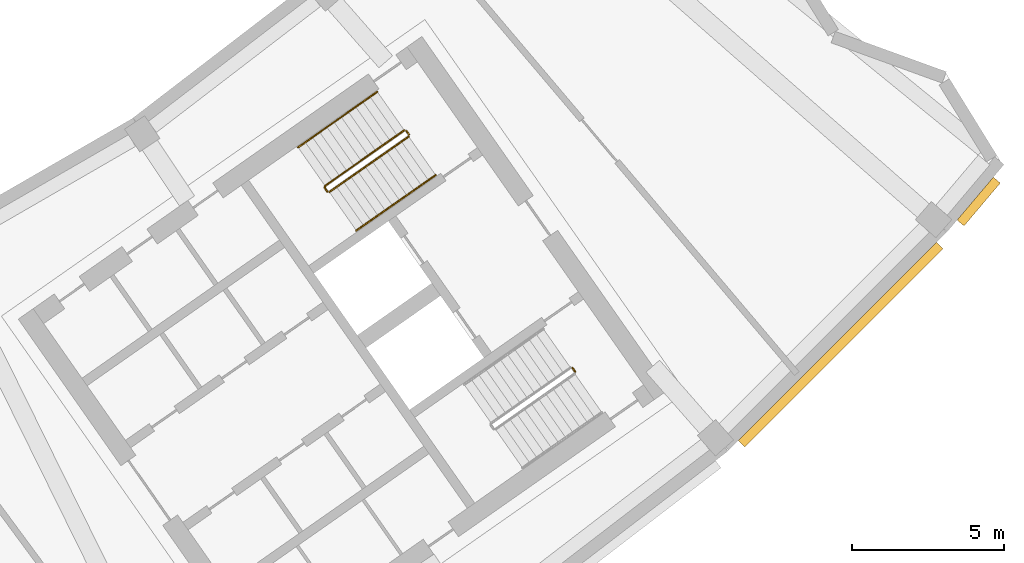
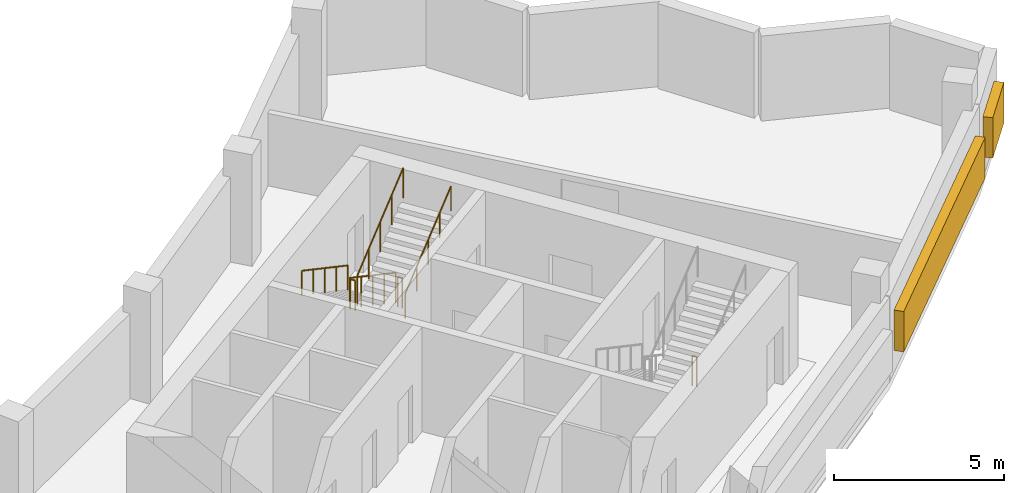
# One storey, part 11 of 11: 6 railings, 2 shading devices.
"""IFC4 building model written with IfcOpenShell, lengths in metres."""

from ifc_helpers import new_model, si_unit, direction, frame, origin, origin_2d, place, context, subcontext, project, spatial, rectangle, circle, extrude, material, type_object, element, save


model = new_model("IFC4")

# Units and contexts
model_context = context("Model", 3, precision=1e-05, world=origin(), true_north=direction((0.0, 1.0)))
body_context = subcontext(model_context, "Body", "Model", "MODEL_VIEW")
ifc_project = project(units=[si_unit("LENGTHUNIT", "METRE"), si_unit("AREAUNIT", "SQUARE_METRE"), si_unit("VOLUMEUNIT", "CUBIC_METRE"), si_unit("PLANEANGLEUNIT", "RADIAN"), si_unit("MASSUNIT", "GRAM", prefix="KILO")], contexts=[model_context])

# Site, building, storey
site_placement = place(None, origin())
site = spatial("IfcSite", under=ifc_project, at=site_placement, CompositionType="ELEMENT")
building_placement = place(site_placement, origin())
building = spatial("IfcBuilding", under=site, at=building_placement, Name="Qamariyya Broadcast Tower", CompositionType="ELEMENT")
storey_placement = place(building_placement, frame((0.0, 0.0, 302.699951171875)))
storey = spatial("IfcBuildingStorey", under=building, at=storey_placement, Name="L73", CompositionType="ELEMENT", Elevation=302.699951171875)

# Railings
ifc_material_1 = material(Name="Painted steel", Category="steel")
railing_type_1 = type_object("IfcRailingType", Name="Stair guard", PredefinedType="GUARDRAIL", material=ifc_material_1)
railing_1_placement = place(storey_placement, frame((41.003173828125, -48.320068359375, 0.166748046875)))
element("IfcRailing", 1, at=railing_1_placement, inside=storey, type_object=railing_type_1, Name="L73 ST-E2 stair guard 1", PredefinedType="GUARDRAIL", context=body_context, shape_type="SweptSolid", body=[
    extrude(circle(Radius=0.02392578125, at=origin_2d()), frame((0.0, 0.0, 1.076171875), z_axis=(-0.710204256923, -0.497335411159, 0.498264389913), x_axis=(0.573611290809, -0.819127637829, 0.0)), (0.0, 0.0, 1.0), 3.67919921875),
    extrude(circle(Radius=0.02392578125, at=origin_2d()), frame((-2.613037109375, -1.829833984375, 2.9091796875), z_axis=(-0.172799478008, -0.984957024646, 0.0), x_axis=(0.984957024646, -0.172799478008, 0.0)), (0.0, 0.0, 1.0), 0.070556640625),
    extrude(circle(Radius=0.02392578125, at=origin_2d()), frame((-2.625244140625, -1.8994140625, 2.9091796875), z_axis=(0.573353020881, -0.819308436089, 0.0), x_axis=(0.819308436089, 0.573353020881, 0.0)), (0.0, 0.0, 1.0), 0.14990234375),
    extrude(circle(Radius=0.02099609375, at=origin_2d()), origin(), (0.0, 0.0, 1.0), 1.052001953125),
    extrude(circle(Radius=0.02099609375, at=origin_2d()), frame((-0.6533203125, -0.45751953125, 0.458251953125)), (0.0, 0.0, 1.0), 1.052001953125),
    extrude(circle(Radius=0.02099609375, at=origin_2d()), frame((-1.306640625, -0.9150390625, 0.91650390625)), (0.0, 0.0, 1.0), 1.052001953125),
    extrude(circle(Radius=0.02099609375, at=origin_2d()), frame((-1.959716796875, -1.372314453125, 1.375)), (0.0, 0.0, 1.0), 1.052001953125),
    extrude(circle(Radius=0.02099609375, at=origin_2d()), frame((-2.613037109375, -1.829833984375, 1.833251953125)), (0.0, 0.0, 1.0), 1.052001953125),
    extrude(circle(Radius=0.02099609375, at=origin_2d()), frame((-2.625244140625, -1.8994140625, 1.833251953125)), (0.0, 0.0, 1.0), 1.052001953125),
    extrude(circle(Radius=0.02099609375, at=origin_2d()), frame((-2.539306640625, -2.022216796875, 1.833251953125)), (0.0, 0.0, 1.0), 1.052001953125),
])
railing_2_placement = place(storey_placement, frame((38.53369140625, -50.3544921875, 2.166748046875)))
element("IfcRailing", 2, at=railing_2_placement, inside=storey, type_object=railing_type_1, Name="L73 ST-E2 stair guard 2", PredefinedType="GUARDRAIL", context=body_context, shape_type="SweptSolid", body=[
    extrude(circle(Radius=0.02392578125, at=origin_2d()), frame((0.0, 0.0, 1.076171875), z_axis=(0.710227693972, 0.497285465629, 0.498280832854), x_axis=(-0.573559936391, 0.819163597438, 0.0)), (0.0, 0.0, 1.0), 3.67919921875),
    extrude(circle(Radius=0.02099609375, at=origin_2d()), origin(), (0.0, 0.0, 1.0), 1.052001953125),
    extrude(circle(Radius=0.02099609375, at=origin_2d()), frame((0.6533203125, 0.45751953125, 0.458251953125)), (0.0, 0.0, 1.0), 1.052001953125),
    extrude(circle(Radius=0.02099609375, at=origin_2d()), frame((1.306640625, 0.914794921875, 0.91650390625)), (0.0, 0.0, 1.0), 1.052001953125),
    extrude(circle(Radius=0.02099609375, at=origin_2d()), frame((1.959716796875, 1.3720703125, 1.375)), (0.0, 0.0, 1.0), 1.052001953125),
    extrude(circle(Radius=0.02099609375, at=origin_2d()), frame((2.613037109375, 1.82958984375, 1.833251953125)), (0.0, 0.0, 1.0), 1.052001953125),
])
railing_3_placement = place(storey_placement, frame((41.072998046875, -48.332275390625, 0.0)))
element("IfcRailing", 3, at=railing_3_placement, inside=storey, type_object=railing_type_1, Name="L73 ST-E2 stair guard 3", PredefinedType="GUARDRAIL", context=body_context, shape_type="SweptSolid", body=[
    extrude(circle(Radius=0.02392578125, at=origin_2d()), frame((0.0, 0.0, 1.076171875), z_axis=(0.572588637393, -0.819842821722, 0.0), x_axis=(0.819842821722, 0.572588637393, 0.0)), (0.0, 0.0, 1.0), 0.150146484375),
    extrude(circle(Radius=0.02099609375, at=origin_2d()), origin(), (0.0, 0.0, 1.0), 1.052001953125),
    extrude(circle(Radius=0.02099609375, at=origin_2d()), frame((0.0859375, -0.123046875, 0.0)), (0.0, 0.0, 1.0), 1.052001953125),
])
railing_4_placement = place(storey_placement, frame((46.550537109375, -56.1552734375, 0.0)))
element("IfcRailing", 4, at=railing_4_placement, inside=storey, type_object=railing_type_1, Name="L73 ST-E1 stair guard 3", PredefinedType="GUARDRAIL", context=body_context, shape_type="SweptSolid", body=[
    extrude(circle(Radius=0.02392578125, at=origin_2d()), frame((0.0, 0.0, 1.076171875), z_axis=(0.574444878118, -0.818543268254, 0.0), x_axis=(0.818543268254, 0.574444878118, 0.0)), (0.0, 0.0, 1.0), 0.150146484375),
    extrude(circle(Radius=0.02099609375, at=origin_2d()), origin(), (0.0, 0.0, 1.0), 1.052001953125),
    extrude(circle(Radius=0.02099609375, at=origin_2d()), frame((0.086181640625, -0.122802734375, 0.0)), (0.0, 0.0, 1.0), 1.052001953125),
])
ifc_material_2 = material(Name="Stainless steel", Category="steel")
railing_type_2 = type_object("IfcRailingType", Name="Stair handrail", PredefinedType="HANDRAIL", material=ifc_material_2)
railing_5_placement = place(storey_placement, frame((40.1142578125, -47.05029296875, 0.166748046875)))
element("IfcRailing", 5, at=railing_5_placement, inside=storey, type_object=railing_type_2, Name="L73 ST-E2 stair handrail 1", PredefinedType="HANDRAIL", context=body_context, shape_type="SweptSolid", body=[
    extrude(circle(Radius=0.02392578125, at=origin_2d()), frame((0.0, 0.0, 0.8759765625), z_axis=(-0.710204256923, -0.497335411159, 0.498264389913), x_axis=(0.573611290809, -0.819127637829, 0.0)), (0.0, 0.0, 1.0), 3.67919921875),
    extrude(circle(Radius=0.02099609375, at=origin_2d()), origin(), (0.0, 0.0, 1.0), 0.851806640625),
    extrude(circle(Radius=0.02099609375, at=origin_2d()), frame((-0.6533203125, -0.45751953125, 0.458251953125)), (0.0, 0.0, 1.0), 0.851806640625),
    extrude(circle(Radius=0.02099609375, at=origin_2d()), frame((-1.306640625, -0.9150390625, 0.91650390625)), (0.0, 0.0, 1.0), 0.851806640625),
    extrude(circle(Radius=0.02099609375, at=origin_2d()), frame((-1.959716796875, -1.372314453125, 1.375)), (0.0, 0.0, 1.0), 0.851806640625),
    extrude(circle(Radius=0.02099609375, at=origin_2d()), frame((-2.613037109375, -1.829833984375, 1.833251953125)), (0.0, 0.0, 1.0), 0.851806640625),
])
railing_6_placement = place(storey_placement, frame((39.422607421875, -51.624267578125, 2.166748046875)))
element("IfcRailing", 6, at=railing_6_placement, inside=storey, type_object=railing_type_2, Name="L73 ST-E2 stair handrail 2", PredefinedType="HANDRAIL", context=body_context, shape_type="SweptSolid", body=[
    extrude(circle(Radius=0.02392578125, at=origin_2d()), frame((0.0, 0.0, 0.8759765625), z_axis=(0.710204256923, 0.497335411159, 0.498264389913), x_axis=(-0.573611290809, 0.819127637829, 0.0)), (0.0, 0.0, 1.0), 3.67919921875),
    extrude(circle(Radius=0.02099609375, at=origin_2d()), origin(), (0.0, 0.0, 1.0), 0.851806640625),
    extrude(circle(Radius=0.02099609375, at=origin_2d()), frame((0.6533203125, 0.45751953125, 0.458251953125)), (0.0, 0.0, 1.0), 0.851806640625),
    extrude(circle(Radius=0.02099609375, at=origin_2d()), frame((1.306640625, 0.9150390625, 0.91650390625)), (0.0, 0.0, 1.0), 0.851806640625),
    extrude(circle(Radius=0.02099609375, at=origin_2d()), frame((1.959716796875, 1.372314453125, 1.375)), (0.0, 0.0, 1.0), 0.851806640625),
    extrude(circle(Radius=0.02099609375, at=origin_2d()), frame((2.613037109375, 1.829833984375, 1.833251953125)), (0.0, 0.0, 1.0), 0.851806640625),
])

# Shading devices
ifc_material_3 = material(Name="Glazed terracotta", Category="masonry")
shading_device_type = type_object("IfcShadingDeviceType", Name="Terracotta louvre bank", PredefinedType="USERDEFINED", material=ifc_material_3)
shading_device_1_placement = place(storey_placement, frame((55.38916015625, -55.38916015625, 0.80029296875), z_axis=(0.0, 0.0, 1.0), x_axis=(0.707106781187, 0.707106781187, 0.0)))
element("IfcShadingDevice", 7, at=shading_device_1_placement, inside=storey, type_object=shading_device_type, Name="e-lv-L73-13", ObjectType="LOUVRE", PredefinedType="USERDEFINED", context=body_context, shape_type="SweptSolid", body=[
    extrude(rectangle(XDim=9.248779296875, YDim=0.300048828125, at=origin_2d()), origin(), (0.0, 0.0, 1.0), 1.449951171875),
])
shading_device_2_placement = place(storey_placement, frame((59.94140625, -50.66796875, 0.80029296875), z_axis=(0.0, 0.0, 1.0), x_axis=(0.645559567332, 0.763709922042, 0.0)))
element("IfcShadingDevice", 8, at=shading_device_2_placement, inside=storey, type_object=shading_device_type, Name="e-lv-L73-14", ObjectType="LOUVRE", PredefinedType="USERDEFINED", context=body_context, shape_type="SweptSolid", body=[
    extrude(rectangle(XDim=1.8505859375, YDim=0.300048828125, at=origin_2d()), origin(), (0.0, 0.0, 1.0), 1.449951171875),
])

save(model, "model.ifc")
